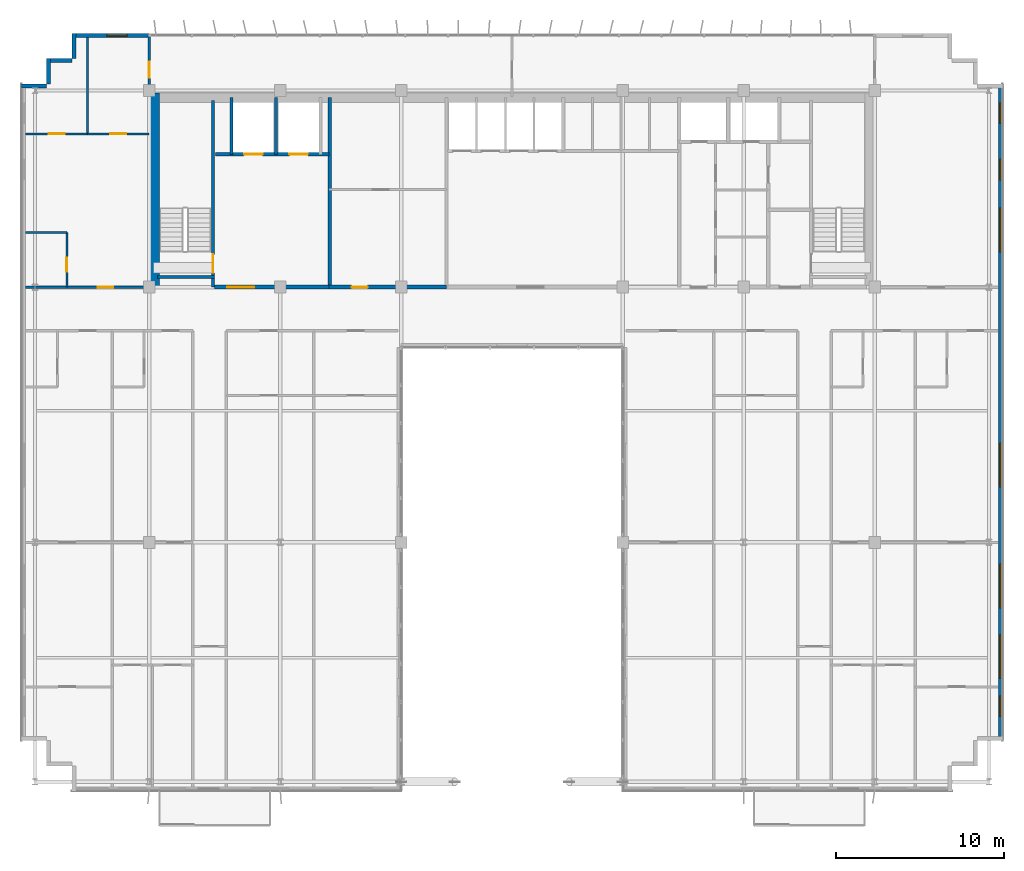
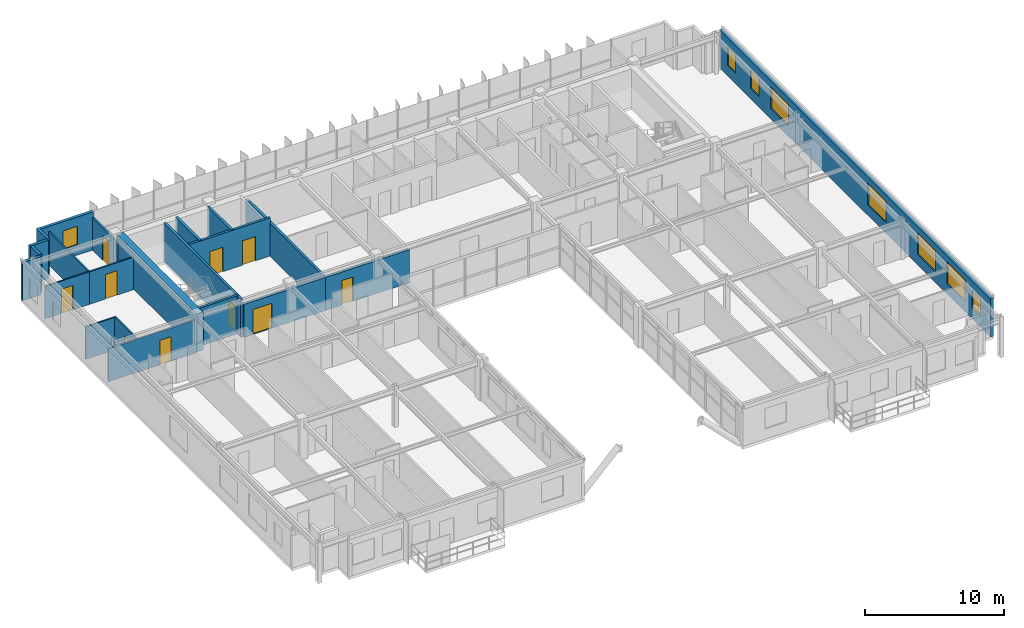
# One storey, part 31 of 35: 22 walls, 10 doors, 8 windows, 18 openings.
"""IFC4 building model written with IfcOpenShell, lengths in metres."""

from ifc_helpers import new_model, si_unit, direction, frame, frame_2d, origin, place, context, subcontext, project, spatial, rectangle, extrude, source, transform, mapped, material, layer, layer_set, type_object, element, fill, save


model = new_model("IFC4")

# Units and contexts
model_context = context("Model", 3, precision=1e-05, world=origin(), true_north=direction((0.0, 1.0)))
body_context = subcontext(model_context, "Body", "Model", "MODEL_VIEW")
ifc_project = project(units=[si_unit("LENGTHUNIT", "METRE"), si_unit("AREAUNIT", "SQUARE_METRE"), si_unit("VOLUMEUNIT", "CUBIC_METRE"), si_unit("PLANEANGLEUNIT", "RADIAN"), si_unit("MASSUNIT", "GRAM", prefix="KILO")], contexts=[model_context])

# Site, building, storey
site_placement = place(None, origin())
site = spatial("IfcSite", under=ifc_project, at=site_placement, CompositionType="ELEMENT")
building_placement = place(site_placement, origin())
building = spatial("IfcBuilding", under=site, at=building_placement, Name="Trelvane Seafront Commons", CompositionType="ELEMENT")
storey_placement = place(building_placement, frame((0.0, 0.0, 194.10009765625)))
storey = spatial("IfcBuildingStorey", under=building, at=storey_placement, Name="L50", CompositionType="ELEMENT", Elevation=194.10009765625)

# Wall, opening, window
ifc_material_1 = material(Name="Precast concrete C40/50", Category="concrete")
ifc_layer_1 = layer(ifc_material_1, 0.239990234375, Name="ARCH-WALL-EXT240")
ifc_layer_set_1 = layer_set([ifc_layer_1], Name="Precast concrete C40/50")
wall_type_1 = type_object("IfcWallType", Name="ARCH-WALL-EXT240", PredefinedType="SOLIDWALL", material=ifc_layer_set_1)
wall_1_placement = place(storey_placement, frame((11.10009765625, 48.3701171875, 0.0), z_axis=(0.0, 0.0, 1.0), x_axis=(1.0, 0.0, 0.0)))
wall_1 = element("IfcWall", 1, at=wall_1_placement, inside=storey, type_object=wall_type_1, Name="EW-L50-NW-0982", PredefinedType="SOLIDWALL", context=body_context, shape_type="SweptSolid", body=[
    extrude(rectangle(XDim=4.5, YDim=0.239990234375, at=frame_2d((2.25, 0.0))), origin(), (0.0, 0.0, 1.0), 3.35986328125),
])
opening_1_placement = place(wall_1_placement, frame((1.98291015625, 0.0, 0.89990234375)))
opening_1 = element("IfcOpeningElement", 2, at=opening_1_placement, cuts=wall_1, Name="Opening W05", PredefinedType="OPENING", context=body_context, shape_type="SweptSolid", body=[
    extrude(rectangle(XDim=1.199951171875, YDim=1.64990234375, at=frame_2d((0.60009765625, 0.824951171875))), frame((0.0, 0.1298828125, 0.0), z_axis=(0.0, -1.0, 0.0), x_axis=(1.0, 0.0, 0.0)), (0.0, 0.0, 1.0), 0.260009765625),
])
ifc_material_2 = material(Name="Low-E coastal double glazing", Category="glass")
window_type_1 = type_object("IfcWindowType", Name="ARCH-WIN-W05", PartitioningType="SINGLE_PANEL", PredefinedType="WINDOW", material=ifc_material_2)
shared_shape_1 = source(origin(), body_context, "Body", "SweptSolid", [
    extrude(rectangle(XDim=1.199951171875, YDim=1.64990234375, at=frame_2d((0.60009765625, 0.824951171875))), frame((0.0, 0.030029296875, 0.0), z_axis=(0.0, -1.0, 0.0), x_axis=(1.0, 0.0, 0.0)), (0.0, 0.0, 1.0), 0.06005859375),
])
window_1_placement = place(opening_1_placement, origin())
window_1 = element("IfcWindow", 3, at=window_1_placement, inside=storey, type_object=window_type_1, Name="WIN-L50-01167", OverallHeight=1.64990234375, OverallWidth=1.199951171875, PartitioningType="SINGLE_PANEL", PredefinedType="WINDOW", context=body_context, shape_type="MappedRepresentation", body=[
    mapped(shared_shape_1, transform((0.0, 0.0, 0.0), x_axis=(1.0, 0.0, 0.0), y_axis=(0.0, 1.0, 0.0), z_axis=(0.0, 0.0, 1.0), scale=1.0)),
])
fill(opening_1, window_1)

# Walls
for number, where, z_axis, x_axis, name in (
    (4, (8.0, 45.3798828125, 0.0), (0.0, 0.0, 1.0), (1.0, 0.0, 0.0), "EW-L50-00988"),
    (5, (9.6201171875, 45.5, 0.0), (0.0, 0.0, 1.0), (0.0, 1.0, 0.0), "EW-L50-00989"),
    (6, (9.5, 46.8798828125, 0.0), (0.0, 0.0, 1.0), (1.0, 0.0, 0.0), "EW-L50-00990"),
    (7, (11.1201171875, 47.0, 0.0), (0.0, 0.0, 1.0), (0.0, 1.0, 0.0), "EW-L50-00991"),
):
    element("IfcWall", number, at=place(storey_placement, frame(where, z_axis=z_axis, x_axis=x_axis)), inside=storey, type_object=wall_type_1, Name=name, PredefinedType="SOLIDWALL", context=body_context, shape_type="SweptSolid", body=[
        extrude(rectangle(XDim=1.5, YDim=0.239990234375, at=frame_2d((0.75, 0.0))), origin(), (0.0, 0.0, 1.0), 3.35986328125),
    ])

# Wall, openings, windows
wall_2_placement = place(storey_placement, frame((66.280029296875, 45.5, 0.0), z_axis=(0.0, 0.0, 1.0), x_axis=(0.0, -1.0, 0.0)))
wall_2 = element("IfcWall", 8, at=wall_2_placement, inside=storey, type_object=wall_type_1, Name="EW-L50-00996", PredefinedType="SOLIDWALL", context=body_context, shape_type="SweptSolid", body=[
    extrude(rectangle(XDim=39.10009765625, YDim=0.239990234375, at=frame_2d((19.550048828125, 0.0))), origin(), (0.0, 0.0, 1.0), 3.35986328125),
])
opening_2_placement = place(wall_2_placement, frame((36.449951171875, 0.0, 0.919921875)))
opening_2 = element("IfcOpeningElement", 9, at=opening_2_placement, cuts=wall_2, Name="Opening W05", PredefinedType="OPENING", context=body_context, shape_type="SweptSolid", body=[
    extrude(rectangle(XDim=1.199951171875, YDim=1.64990234375, at=frame_2d((0.60009765625, 0.824951171875))), frame((0.0, 0.1298828125, 0.0), z_axis=(0.0, -1.0, 0.0), x_axis=(1.0, 0.0, 0.0)), (0.0, 0.0, 1.0), 0.260009765625),
])
opening_3_placement = place(wall_2_placement, frame((32.800048828125, 0.0, 0.919921875)))
opening_3 = element("IfcOpeningElement", 10, at=opening_3_placement, cuts=wall_2, Name="Opening W04", PredefinedType="OPENING", context=body_context, shape_type="SweptSolid", body=[
    extrude(rectangle(XDim=2.60009765625, YDim=1.89990234375, at=frame_2d((1.300048828125, 0.949951171875))), frame((0.0, 0.1298828125, 0.0), z_axis=(0.0, -1.0, 0.0), x_axis=(1.0, 0.0, 0.0)), (0.0, 0.0, 1.0), 0.260009765625),
])
opening_4_placement = place(wall_2_placement, frame((28.60009765625, 0.0, 0.919921875)))
opening_4 = element("IfcOpeningElement", 11, at=opening_4_placement, cuts=wall_2, Name="Opening W04", PredefinedType="OPENING", context=body_context, shape_type="SweptSolid", body=[
    extrude(rectangle(XDim=2.60009765625, YDim=1.89990234375, at=frame_2d((1.300048828125, 0.949951171875))), frame((0.0, 0.1298828125, 0.0), z_axis=(0.0, -1.0, 0.0), x_axis=(1.0, 0.0, 0.0)), (0.0, 0.0, 1.0), 0.260009765625),
])
opening_5_placement = place(wall_2_placement, frame((21.39990234375, 0.0, 0.919921875)))
opening_5 = element("IfcOpeningElement", 12, at=opening_5_placement, cuts=wall_2, Name="Opening W04", PredefinedType="OPENING", context=body_context, shape_type="SweptSolid", body=[
    extrude(rectangle(XDim=2.60009765625, YDim=1.89990234375, at=frame_2d((1.300048828125, 0.949951171875))), frame((0.0, 0.1298828125, 0.0), z_axis=(0.0, -1.0, 0.0), x_axis=(1.0, 0.0, 0.0)), (0.0, 0.0, 1.0), 0.260009765625),
])
opening_6_placement = place(wall_2_placement, frame((7.39990234375, 0.0, 0.919921875)))
opening_6 = element("IfcOpeningElement", 13, at=opening_6_placement, cuts=wall_2, Name="Opening W04", PredefinedType="OPENING", context=body_context, shape_type="SweptSolid", body=[
    extrude(rectangle(XDim=2.60009765625, YDim=1.89990234375, at=frame_2d((1.300048828125, 0.949951171875))), frame((0.0, 0.1298828125, 0.0), z_axis=(0.0, -1.0, 0.0), x_axis=(1.0, 0.0, 0.0)), (0.0, 0.0, 1.0), 0.260009765625),
])
opening_7_placement = place(wall_2_placement, frame((4.5, 0.0, 0.919921875)))
opening_7 = element("IfcOpeningElement", 14, at=opening_7_placement, cuts=wall_2, Name="Opening W05", PredefinedType="OPENING", context=body_context, shape_type="SweptSolid", body=[
    extrude(rectangle(XDim=1.199951171875, YDim=1.64990234375, at=frame_2d((0.60009765625, 0.824951171875))), frame((0.0, 0.1298828125, 0.0), z_axis=(0.0, -1.0, 0.0), x_axis=(1.0, 0.0, 0.0)), (0.0, 0.0, 1.0), 0.260009765625),
])
opening_8_placement = place(wall_2_placement, frame((1.14990234375, 0.0, 0.919921875)))
opening_8 = element("IfcOpeningElement", 15, at=opening_8_placement, cuts=wall_2, Name="Opening W05", PredefinedType="OPENING", context=body_context, shape_type="SweptSolid", body=[
    extrude(rectangle(XDim=1.199951171875, YDim=1.64990234375, at=frame_2d((0.60009765625, 0.824951171875))), frame((0.0, 0.1298828125, 0.0), z_axis=(0.0, -1.0, 0.0), x_axis=(1.0, 0.0, 0.0)), (0.0, 0.0, 1.0), 0.260009765625),
])
window_type_2 = type_object("IfcWindowType", Name="ARCH-WIN-W04", PartitioningType="SINGLE_PANEL", PredefinedType="WINDOW", material=ifc_material_2)
shared_shape_2 = source(origin(), body_context, "Body", "SweptSolid", [
    extrude(rectangle(XDim=2.60009765625, YDim=1.89990234375, at=frame_2d((1.300048828125, 0.949951171875))), frame((0.0, 0.030029296875, 0.0), z_axis=(0.0, -1.0, 0.0), x_axis=(1.0, 0.0, 0.0)), (0.0, 0.0, 1.0), 0.06005859375),
])
window_2_placement = place(opening_3_placement, origin())
window_2 = element("IfcWindow", 16, at=window_2_placement, inside=storey, type_object=window_type_2, Name="WIN-L50-EW-01176", OverallHeight=1.89990234375, OverallWidth=2.60009765625, PartitioningType="SINGLE_PANEL", PredefinedType="WINDOW", context=body_context, shape_type="MappedRepresentation", body=[
    mapped(shared_shape_2, transform((0.0, 0.0, 0.0), x_axis=(1.0, 0.0, 0.0), y_axis=(0.0, 1.0, 0.0), z_axis=(0.0, 0.0, 1.0), scale=1.0)),
])
fill(opening_3, window_2)
window_3_placement = place(opening_4_placement, origin())
window_3 = element("IfcWindow", 17, at=window_3_placement, inside=storey, type_object=window_type_2, Name="WIN-L50-EW-01177", OverallHeight=1.89990234375, OverallWidth=2.60009765625, PartitioningType="SINGLE_PANEL", PredefinedType="WINDOW", context=body_context, shape_type="MappedRepresentation", body=[
    mapped(shared_shape_2, transform((0.0, 0.0, 0.0), x_axis=(1.0, 0.0, 0.0), y_axis=(0.0, 1.0, 0.0), z_axis=(0.0, 0.0, 1.0), scale=1.0)),
])
fill(opening_4, window_3)
window_4_placement = place(opening_5_placement, origin())
window_4 = element("IfcWindow", 18, at=window_4_placement, inside=storey, type_object=window_type_2, Name="WIN-L50-EW-01178", OverallHeight=1.89990234375, OverallWidth=2.60009765625, PartitioningType="SINGLE_PANEL", PredefinedType="WINDOW", context=body_context, shape_type="MappedRepresentation", body=[
    mapped(shared_shape_2, transform((0.0, 0.0, 0.0), x_axis=(1.0, 0.0, 0.0), y_axis=(0.0, 1.0, 0.0), z_axis=(0.0, 0.0, 1.0), scale=1.0)),
])
fill(opening_5, window_4)
window_5_placement = place(opening_6_placement, origin())
window_5 = element("IfcWindow", 19, at=window_5_placement, inside=storey, type_object=window_type_2, Name="WIN-L50-EW-01179", OverallHeight=1.89990234375, OverallWidth=2.60009765625, PartitioningType="SINGLE_PANEL", PredefinedType="WINDOW", context=body_context, shape_type="MappedRepresentation", body=[
    mapped(shared_shape_2, transform((0.0, 0.0, 0.0), x_axis=(1.0, 0.0, 0.0), y_axis=(0.0, 1.0, 0.0), z_axis=(0.0, 0.0, 1.0), scale=1.0)),
])
fill(opening_6, window_5)
window_6_placement = place(opening_2_placement, origin())
window_6 = element("IfcWindow", 20, at=window_6_placement, inside=storey, type_object=window_type_1, Name="WIN-L50-EW-01175", OverallHeight=1.64990234375, OverallWidth=1.199951171875, PartitioningType="SINGLE_PANEL", PredefinedType="WINDOW", context=body_context, shape_type="MappedRepresentation", body=[
    mapped(shared_shape_1, transform((0.0, 0.0, 0.0), x_axis=(1.0, 0.0, 0.0), y_axis=(0.0, 1.0, 0.0), z_axis=(0.0, 0.0, 1.0), scale=1.0)),
])
fill(opening_2, window_6)
window_7_placement = place(opening_7_placement, origin())
window_7 = element("IfcWindow", 21, at=window_7_placement, inside=storey, type_object=window_type_1, Name="WIN-L50-EW-01180", OverallHeight=1.64990234375, OverallWidth=1.199951171875, PartitioningType="SINGLE_PANEL", PredefinedType="WINDOW", context=body_context, shape_type="MappedRepresentation", body=[
    mapped(shared_shape_1, transform((0.0, 0.0, 0.0), x_axis=(1.0, 0.0, 0.0), y_axis=(0.0, 1.0, 0.0), z_axis=(0.0, 0.0, 1.0), scale=1.0)),
])
fill(opening_7, window_7)
window_8_placement = place(opening_8_placement, origin())
window_8 = element("IfcWindow", 22, at=window_8_placement, inside=storey, type_object=window_type_1, Name="WIN-L50-EW-01181", OverallHeight=1.64990234375, OverallWidth=1.199951171875, PartitioningType="SINGLE_PANEL", PredefinedType="WINDOW", context=body_context, shape_type="MappedRepresentation", body=[
    mapped(shared_shape_1, transform((0.0, 0.0, 0.0), x_axis=(1.0, 0.0, 0.0), y_axis=(0.0, 1.0, 0.0), z_axis=(0.0, 0.0, 1.0), scale=1.0)),
])
fill(opening_8, window_8)

# Wall, opening, door
ifc_material_3 = material(Name="Concrete C40/50", Category="concrete")
ifc_layer_2 = layer(ifc_material_3, 0.25, Name="ARCH-WALL-FIRE250")
ifc_layer_set_2 = layer_set([ifc_layer_2], Name="Concrete C40/50")
wall_type_2 = type_object("IfcWallType", Name="ARCH-WALL-FIRE250", PredefinedType="PARTITIONING", material=ifc_layer_set_2)
wall_3_placement = place(storey_placement, frame((19.5, 33.39990234375, 0.0), z_axis=(0.0, 0.0, 1.0), x_axis=(1.0, 0.0, 0.0)))
wall_3 = element("IfcWall", 23, at=wall_3_placement, inside=storey, type_object=wall_type_2, Name="W-L50-CS-FFL-013", PredefinedType="PARTITIONING", context=body_context, shape_type="SweptSolid", body=[
    extrude(rectangle(XDim=6.800048828125, YDim=0.25, at=frame_2d((3.39990234375, 0.0))), origin(), (0.0, 0.0, 1.0), 2.909912109375),
])
opening_9_placement = place(wall_3_placement, frame((0.75, 0.0, 0.0)))
opening_9 = element("IfcOpeningElement", 24, at=opening_9_placement, cuts=wall_3, Name="Opening FD-L50-05", PredefinedType="OPENING", context=body_context, shape_type="SweptSolid", body=[
    extrude(rectangle(XDim=1.60009765625, YDim=2.199951171875, at=frame_2d((0.800048828125, 1.10009765625))), frame((0.0, 0.135009765625, 0.0), z_axis=(0.0, -1.0, 0.0), x_axis=(1.0, 0.0, 0.0)), (0.0, 0.0, 1.0), 0.27001953125),
])
ifc_material_4 = material(Name="Powder-coated aluminium frame", Category="aluminium")
door_type_1 = type_object("IfcDoorType", Name="ARCH-DR-FD60-1600", OperationType="DOUBLE_DOOR_SINGLE_SWING", PredefinedType="DOOR", material=ifc_material_4)
shared_shape_3 = source(origin(), body_context, "Body", "SweptSolid", [
    extrude(rectangle(XDim=1.60009765625, YDim=2.199951171875, at=frame_2d((0.800048828125, 1.10009765625))), frame((0.0, 0.02490234375, 0.0), z_axis=(0.0, -1.0, 0.0), x_axis=(1.0, 0.0, 0.0)), (0.0, 0.0, 1.0), 0.050048828125),
])
door_1_placement = place(opening_9_placement, origin())
door_1 = element("IfcDoor", 25, at=door_1_placement, inside=storey, type_object=door_type_1, Name="L50 Firefighting Lift Lobby Double Fire Door", OperationType="DOUBLE_DOOR_SINGLE_SWING", OverallHeight=2.199951171875, OverallWidth=1.60009765625, PredefinedType="DOOR", context=body_context, shape_type="MappedRepresentation", body=[
    mapped(shared_shape_3, transform((0.0, 0.0, 0.0), x_axis=(1.0, 0.0, 0.0), y_axis=(0.0, 1.0, 0.0), z_axis=(0.0, 0.0, 1.0), scale=1.0)),
])
fill(opening_9, door_1)

wall_4_placement = place(storey_placement, frame((26.300048828125, 33.39990234375, 0.0), z_axis=(0.0, 0.0, 1.0), x_axis=(1.0, 0.0, 0.0)))
wall_4 = element("IfcWall", 26, at=wall_4_placement, inside=storey, type_object=wall_type_2, Name="W-L50-CS-FPL-026", PredefinedType="PARTITIONING", context=body_context, shape_type="SweptSolid", body=[
    extrude(rectangle(XDim=7.0, YDim=0.25, at=frame_2d((3.5, 0.0))), origin(), (0.0, 0.0, 1.0), 2.909912109375),
])
opening_10_placement = place(wall_4_placement, frame((1.35009765625, 0.0, 0.0)))
opening_10 = element("IfcOpeningElement", 27, at=opening_10_placement, cuts=wall_4, Name="Opening D-L50-11", PredefinedType="OPENING", context=body_context, shape_type="SweptSolid", body=[
    extrude(rectangle(XDim=0.949951171875, YDim=2.14990234375, at=frame_2d((0.47509765625, 1.074951171875))), frame((0.0, 0.135009765625, 0.0), z_axis=(0.0, -1.0, 0.0), x_axis=(1.0, 0.0, 0.0)), (0.0, 0.0, 1.0), 0.27001953125),
])
ifc_material_5 = material(Name="Acoustic timber door leaf", Category="wood")
door_type_2 = type_object("IfcDoorType", Name="ARCH-DR-INT950", OperationType="NOTDEFINED", PredefinedType="DOOR", material=ifc_material_5)
shared_shape_4 = source(origin(), body_context, "Body", "SweptSolid", [
    extrude(rectangle(XDim=0.949951171875, YDim=2.14990234375, at=frame_2d((0.47509765625, 1.074951171875))), frame((0.0, 0.02490234375, 0.0), z_axis=(0.0, -1.0, 0.0), x_axis=(1.0, 0.0, 0.0)), (0.0, 0.0, 1.0), 0.050048828125),
])
door_2_placement = place(opening_10_placement, origin())
door_2 = element("IfcDoor", 28, at=door_2_placement, inside=storey, type_object=door_type_2, Name="L50 Floor Pantry Entrance Door", OperationType="SINGLE_SWING_LEFT", OverallHeight=2.14990234375, OverallWidth=0.949951171875, PredefinedType="DOOR", context=body_context, shape_type="MappedRepresentation", body=[
    mapped(shared_shape_4, transform((0.0, 0.0, 0.0), x_axis=(1.0, 0.0, 0.0), y_axis=(0.0, 1.0, 0.0), z_axis=(0.0, 0.0, 1.0), scale=1.0)),
])
fill(opening_10, door_2)

ifc_material_6 = material(Name="Gypsum Drywall Acoustic Partition")
ifc_layer_3 = layer(ifc_material_6, 0.1201171875, Name="ARCH-WALL-PART120")
ifc_layer_set_3 = layer_set([ifc_layer_3], Name="Gypsum Drywall Acoustic Partition")
wall_type_3 = type_object("IfcWallType", Name="ARCH-WALL-PART120", PredefinedType="PARTITIONING", material=ifc_layer_set_3)
wall_5_placement = place(storey_placement, frame((10.699951171875, 33.39990234375, 0.0), z_axis=(0.0, 0.0, 1.0), x_axis=(0.0, 1.0, 0.0)))
wall_5 = element("IfcWall", 29, at=wall_5_placement, inside=storey, type_object=wall_type_3, Name="W-L50-NW-BE-037", PredefinedType="PARTITIONING", context=body_context, shape_type="SweptSolid", body=[
    extrude(rectangle(XDim=3.25, YDim=0.1201171875, at=frame_2d((1.625, 0.0))), origin(), (0.0, 0.0, 1.0), 2.909912109375),
])
opening_11_placement = place(wall_5_placement, frame((0.89990234375, 0.0, 0.0)))
opening_11 = element("IfcOpeningElement", 30, at=opening_11_placement, cuts=wall_5, Name="Opening D-L50-21", PredefinedType="OPENING", context=body_context, shape_type="SweptSolid", body=[
    extrude(rectangle(XDim=0.85009765625, YDim=2.10009765625, at=frame_2d((0.425048828125, 1.050048828125))), frame((0.0, 0.070068359375, 0.0), z_axis=(0.0, -1.0, 0.0), x_axis=(1.0, 0.0, 0.0)), (0.0, 0.0, 1.0), 0.14013671875),
])
door_type_3 = type_object("IfcDoorType", Name="ARCH-DR-INT850", OperationType="NOTDEFINED", PredefinedType="DOOR", material=ifc_material_5)
shared_shape_5 = source(origin(), body_context, "Body", "SweptSolid", [
    extrude(rectangle(XDim=0.85009765625, YDim=2.10009765625, at=frame_2d((0.425048828125, 1.050048828125))), frame((0.0, 0.02490234375, 0.0), z_axis=(0.0, -1.0, 0.0), x_axis=(1.0, 0.0, 0.0)), (0.0, 0.0, 1.0), 0.050048828125),
])
door_3_placement = place(opening_11_placement, origin())
door_3 = element("IfcDoor", 31, at=door_3_placement, inside=storey, type_object=door_type_3, Name="L50 Door 21", OperationType="SINGLE_SWING_LEFT", OverallHeight=2.10009765625, OverallWidth=0.85009765625, PredefinedType="DOOR", context=body_context, shape_type="MappedRepresentation", body=[
    mapped(shared_shape_5, transform((0.0, 0.0, 0.0), x_axis=(1.0, 0.0, 0.0), y_axis=(0.0, 1.0, 0.0), z_axis=(0.0, 0.0, 1.0), scale=1.0)),
])
fill(opening_11, door_3)

# Wall
wall_6_placement = place(storey_placement, frame((8.25, 36.64990234375, 0.0), z_axis=(0.0, 0.0, 1.0), x_axis=(1.0, 0.0, 0.0)))
element("IfcWall", 32, at=wall_6_placement, inside=storey, type_object=wall_type_3, Name="W-L50-NW-BN-038", PredefinedType="PARTITIONING", context=body_context, shape_type="SweptSolid", body=[
    extrude(rectangle(XDim=2.449951171875, YDim=0.1201171875, at=frame_2d((1.22509765625, 0.0))), origin(), (0.0, 0.0, 1.0), 2.85986328125),
])

# Wall, opening, door
wall_7_placement = place(storey_placement, frame((8.25, 42.52001953125, 0.0), z_axis=(0.0, 0.0, 1.0), x_axis=(1.0, 0.0, 0.0)))
wall_7 = element("IfcWall", 33, at=wall_7_placement, inside=storey, type_object=wall_type_3, Name="W-L50-NW-KB1-039", PredefinedType="PARTITIONING", context=body_context, shape_type="SweptSolid", body=[
    extrude(rectangle(XDim=3.675048828125, YDim=0.1201171875, at=frame_2d((1.83740234375, 0.0))), origin(), (0.0, 0.0, 1.0), 2.85986328125),
])
opening_12_placement = place(wall_7_placement, frame((1.363037109375, 0.0, 0.0)))
opening_12 = element("IfcOpeningElement", 34, at=opening_12_placement, cuts=wall_7, Name="Opening D-L50-22", PredefinedType="OPENING", context=body_context, shape_type="SweptSolid", body=[
    extrude(rectangle(XDim=0.949951171875, YDim=2.14990234375, at=frame_2d((0.47509765625, 1.074951171875))), frame((0.0, 0.070068359375, 0.0), z_axis=(0.0, -1.0, 0.0), x_axis=(1.0, 0.0, 0.0)), (0.0, 0.0, 1.0), 0.14013671875),
])
door_4_placement = place(opening_12_placement, origin())
door_4 = element("IfcDoor", 35, at=door_4_placement, inside=storey, type_object=door_type_2, Name="L50 Door 22", OperationType="SINGLE_SWING_RIGHT", OverallHeight=2.14990234375, OverallWidth=0.949951171875, PredefinedType="DOOR", context=body_context, shape_type="MappedRepresentation", body=[
    mapped(shared_shape_4, transform((0.0, 0.0, 0.0), x_axis=(1.0, 0.0, 0.0), y_axis=(0.0, 1.0, 0.0), z_axis=(0.0, 0.0, 1.0), scale=1.0)),
])
fill(opening_12, door_4)

wall_8_placement = place(storey_placement, frame((11.925048828125, 42.52001953125, 0.0), z_axis=(0.0, 0.0, 1.0), x_axis=(1.0, 0.0, 0.0)))
wall_8 = element("IfcWall", 36, at=wall_8_placement, inside=storey, type_object=wall_type_3, Name="W-L50-NW-KB2-040", PredefinedType="PARTITIONING", context=body_context, shape_type="SweptSolid", body=[
    extrude(rectangle(XDim=3.675048828125, YDim=0.1201171875, at=frame_2d((1.83740234375, 0.0))), origin(), (0.0, 0.0, 1.0), 2.85986328125),
])
opening_13_placement = place(wall_8_placement, frame((1.362060546875, 0.0, 0.0)))
opening_13 = element("IfcOpeningElement", 37, at=opening_13_placement, cuts=wall_8, Name="Opening D-L50-23", PredefinedType="OPENING", context=body_context, shape_type="SweptSolid", body=[
    extrude(rectangle(XDim=0.949951171875, YDim=2.14990234375, at=frame_2d((0.47509765625, 1.074951171875))), frame((0.0, 0.070068359375, 0.0), z_axis=(0.0, -1.0, 0.0), x_axis=(1.0, 0.0, 0.0)), (0.0, 0.0, 1.0), 0.14013671875),
])
door_5_placement = place(opening_13_placement, origin())
door_5 = element("IfcDoor", 38, at=door_5_placement, inside=storey, type_object=door_type_2, Name="L50 Door 23", OperationType="SINGLE_SWING_LEFT", OverallHeight=2.14990234375, OverallWidth=0.949951171875, PredefinedType="DOOR", context=body_context, shape_type="MappedRepresentation", body=[
    mapped(shared_shape_4, transform((0.0, 0.0, 0.0), x_axis=(1.0, 0.0, 0.0), y_axis=(0.0, 1.0, 0.0), z_axis=(0.0, 0.0, 1.0), scale=1.0)),
])
fill(opening_13, door_5)

# Wall
wall_9_placement = place(storey_placement, frame((11.925048828125, 42.52001953125, 0.0), z_axis=(0.0, 0.0, 1.0), x_axis=(0.0, 1.0, 0.0)))
element("IfcWall", 39, at=wall_9_placement, inside=storey, type_object=wall_type_3, Name="W-L50-NW-KBDV-041", PredefinedType="PARTITIONING", context=body_context, shape_type="SweptSolid", body=[
    extrude(rectangle(XDim=5.739990234375, YDim=0.1201171875, at=frame_2d((2.8701171875, 0.0))), origin(), (0.0, 0.0, 1.0), 2.909912109375),
])

# Wall, opening, door
ifc_layer_4 = layer(ifc_material_6, 0.14990234375, Name="ARCH-WALL-PART150")
ifc_layer_set_4 = layer_set([ifc_layer_4], Name="Gypsum Drywall Acoustic Partition")
wall_type_4 = type_object("IfcWallType", Name="ARCH-WALL-PART150", PredefinedType="PARTITIONING", material=ifc_layer_set_4)
wall_10_placement = place(storey_placement, frame((8.25, 33.39990234375, 0.0), z_axis=(0.0, 0.0, 1.0), x_axis=(1.0, 0.0, 0.0)))
wall_10 = element("IfcWall", 40, at=wall_10_placement, inside=storey, type_object=wall_type_4, Name="W-L50-NW-ENT-042", PredefinedType="PARTITIONING", context=body_context, shape_type="SweptSolid", body=[
    extrude(rectangle(XDim=7.35009765625, YDim=0.14990234375, at=frame_2d((3.675048828125, 0.0))), origin(), (0.0, 0.0, 1.0), 2.909912109375),
])
opening_14_placement = place(wall_10_placement, frame((4.27490234375, 0.0, 0.0)))
opening_14 = element("IfcOpeningElement", 41, at=opening_14_placement, cuts=wall_10, Name="Opening FD-L50-24", PredefinedType="OPENING", context=body_context, shape_type="SweptSolid", body=[
    extrude(rectangle(XDim=0.949951171875, YDim=2.14990234375, at=frame_2d((0.47509765625, 1.074951171875))), frame((0.0, 0.0849609375, 0.0), z_axis=(0.0, -1.0, 0.0), x_axis=(1.0, 0.0, 0.0)), (0.0, 0.0, 1.0), 0.169921875),
])
door_type_4 = type_object("IfcDoorType", Name="ARCH-DR-FD60-950", OperationType="NOTDEFINED", PredefinedType="DOOR", material=ifc_material_4)
door_6_placement = place(opening_14_placement, origin())
door_6 = element("IfcDoor", 42, at=door_6_placement, inside=storey, type_object=door_type_4, Name="L50 NW Flat Entrance Door", OperationType="SINGLE_SWING_RIGHT", OverallHeight=2.14990234375, OverallWidth=0.949951171875, PredefinedType="DOOR", context=body_context, shape_type="MappedRepresentation", body=[
    mapped(shared_shape_4, transform((0.0, 0.0, 0.0), x_axis=(1.0, 0.0, 0.0), y_axis=(0.0, 1.0, 0.0), z_axis=(0.0, 0.0, 1.0), scale=1.0)),
])
fill(opening_14, door_6)

wall_11_placement = place(storey_placement, frame((15.60009765625, 44.75, 0.0), z_axis=(0.0, 0.0, 1.0), x_axis=(0.0, 1.0, 0.0)))
wall_11 = element("IfcWall", 43, at=wall_11_placement, inside=storey, type_object=wall_type_4, Name="W-L50-N-LINK-W-045", PredefinedType="PARTITIONING", context=body_context, shape_type="SweptSolid", body=[
    extrude(rectangle(XDim=3.610107421875, YDim=0.14990234375, at=frame_2d((1.80517578125, 0.0))), origin(), (0.0, 0.0, 1.0), 2.85986328125),
])
opening_15_placement = place(wall_11_placement, frame((1.10009765625, 0.0, 0.0)))
opening_15 = element("IfcOpeningElement", 44, at=opening_15_placement, cuts=wall_11, Name="Opening FD-L50-27", PredefinedType="OPENING", context=body_context, shape_type="SweptSolid", body=[
    extrude(rectangle(XDim=0.949951171875, YDim=2.14990234375, at=frame_2d((0.47509765625, 1.074951171875))), frame((0.0, 0.0849609375, 0.0), z_axis=(0.0, -1.0, 0.0), x_axis=(1.0, 0.0, 0.0)), (0.0, 0.0, 1.0), 0.169921875),
])
door_7_placement = place(opening_15_placement, origin())
door_7 = element("IfcDoor", 45, at=door_7_placement, inside=storey, type_object=door_type_4, Name="L50 Door 27", OperationType="SINGLE_SWING_LEFT", OverallHeight=2.14990234375, OverallWidth=0.949951171875, PredefinedType="DOOR", context=body_context, shape_type="MappedRepresentation", body=[
    mapped(shared_shape_4, transform((0.0, 0.0, 0.0), x_axis=(1.0, 0.0, 0.0), y_axis=(0.0, 1.0, 0.0), z_axis=(0.0, 0.0, 1.0), scale=1.0)),
])
fill(opening_15, door_7)

# Wall, openings, doors
ifc_layer_5 = layer(ifc_material_3, 0.199951171875, Name="ARCH-WALL-SHAFT200")
ifc_layer_set_5 = layer_set([ifc_layer_5], Name="Concrete C40/50")
wall_type_5 = type_object("IfcWallType", Name="ARCH-WALL-SHAFT200", PredefinedType="SOLIDWALL", material=ifc_layer_set_5)
wall_12_placement = place(storey_placement, frame((19.550048828125, 41.300048828125, 0.0), z_axis=(0.0, 0.0, 1.0), x_axis=(1.0, 0.0, 0.0)))
wall_12 = element("IfcWall", 46, at=wall_12_placement, inside=storey, type_object=wall_type_5, Name="W-L50-FFL-FRONT-008", PredefinedType="SOLIDWALL", context=body_context, shape_type="SweptSolid", body=[
    extrude(rectangle(XDim=6.75, YDim=0.199951171875, at=frame_2d((3.375, 0.0))), origin(), (0.0, 0.0, 1.0), 3.35986328125),
])
opening_16_placement = place(wall_12_placement, frame((1.699951171875, 0.0, 0.0)))
opening_16 = element("IfcOpeningElement", 47, at=opening_16_placement, cuts=wall_12, Name="Opening LD-FF1-L50", PredefinedType="OPENING", context=body_context, shape_type="SweptSolid", body=[
    extrude(rectangle(XDim=1.10009765625, YDim=2.14990234375, at=frame_2d((0.550048828125, 1.074951171875))), frame((0.0, 0.10986328125, 0.0), z_axis=(0.0, -1.0, 0.0), x_axis=(1.0, 0.0, 0.0)), (0.0, 0.0, 1.0), 0.219970703125),
])
opening_17_placement = place(wall_12_placement, frame((4.39990234375, 0.0, 0.0)))
opening_17 = element("IfcOpeningElement", 48, at=opening_17_placement, cuts=wall_12, Name="Opening LD-FF2-L50", PredefinedType="OPENING", context=body_context, shape_type="SweptSolid", body=[
    extrude(rectangle(XDim=1.10009765625, YDim=2.14990234375, at=frame_2d((0.550048828125, 1.074951171875))), frame((0.0, 0.10986328125, 0.0), z_axis=(0.0, -1.0, 0.0), x_axis=(1.0, 0.0, 0.0)), (0.0, 0.0, 1.0), 0.219970703125),
])
ifc_material_7 = material(Name="Stainless steel balustrade", Category="steel")
door_type_5 = type_object("IfcDoorType", Name="ARCH-DR-LD1100", OperationType="DOUBLE_DOOR_SLIDING", PredefinedType="DOOR", material=ifc_material_7)
shared_shape_6 = source(origin(), body_context, "Body", "SweptSolid", [
    extrude(rectangle(XDim=1.10009765625, YDim=2.14990234375, at=frame_2d((0.550048828125, 1.074951171875))), frame((0.0, 0.02490234375, 0.0), z_axis=(0.0, -1.0, 0.0), x_axis=(1.0, 0.0, 0.0)), (0.0, 0.0, 1.0), 0.050048828125),
])
door_8_placement = place(opening_16_placement, origin())
door_8 = element("IfcDoor", 49, at=door_8_placement, inside=storey, type_object=door_type_5, Name="L50 Firefighting Lift FFL-1 Landing Door", OperationType="DOUBLE_DOOR_SLIDING", OverallHeight=2.14990234375, OverallWidth=1.10009765625, PredefinedType="DOOR", context=body_context, shape_type="MappedRepresentation", body=[
    mapped(shared_shape_6, transform((0.0, 0.0, 0.0), x_axis=(1.0, 0.0, 0.0), y_axis=(0.0, 1.0, 0.0), z_axis=(0.0, 0.0, 1.0), scale=1.0)),
])
fill(opening_16, door_8)
door_9_placement = place(opening_17_placement, origin())
door_9 = element("IfcDoor", 50, at=door_9_placement, inside=storey, type_object=door_type_5, Name="L50 Firefighting Lift FFL-2 Landing Door", OperationType="DOUBLE_DOOR_SLIDING", OverallHeight=2.14990234375, OverallWidth=1.10009765625, PredefinedType="DOOR", context=body_context, shape_type="MappedRepresentation", body=[
    mapped(shared_shape_6, transform((0.0, 0.0, 0.0), x_axis=(1.0, 0.0, 0.0), y_axis=(0.0, 1.0, 0.0), z_axis=(0.0, 0.0, 1.0), scale=1.0)),
])
fill(opening_17, door_9)

# Walls
for number, where, z_axis, x_axis, name in (
    (51, (20.5, 41.300048828125, 0.0), (0.0, 0.0, 1.0), (0.0, 1.0, 0.0), "W-L50-FFL-SH-W-009"),
    (52, (23.14990234375, 41.300048828125, 0.0), (0.0, 0.0, 1.0), (0.0, 1.0, 0.0), "W-L50-FFL-DIV-010"),
):
    element("IfcWall", number, at=place(storey_placement, frame(where, z_axis=z_axis, x_axis=x_axis)), inside=storey, type_object=wall_type_5, Name=name, PredefinedType="SOLIDWALL", context=body_context, shape_type="SweptSolid", body=[
        extrude(rectangle(XDim=3.39990234375, YDim=0.199951171875, at=frame_2d((1.699951171875, 0.0))), origin(), (0.0, 0.0, 1.0), 3.35986328125),
    ])
wall_13_placement = place(storey_placement, frame((26.35009765625, 33.39990234375, 0.0), z_axis=(0.0, 0.0, 1.0), x_axis=(0.0, 1.0, 0.0)))
element("IfcWall", 53, at=wall_13_placement, inside=storey, type_object=wall_type_5, Name="W-L50-FFL-EAST-012", PredefinedType="SOLIDWALL", context=body_context, shape_type="SweptSolid", body=[
    extrude(rectangle(XDim=11.300048828125, YDim=0.199951171875, at=frame_2d((5.64990234375, 0.0))), origin(), (0.0, 0.0, 1.0), 2.909912109375),
])
ifc_material_8 = material(Name="Concrete C50/60", Category="concrete")
ifc_layer_6 = layer(ifc_material_8, 0.550048828125, Name="STR-WALL-CORE550")
ifc_layer_set_6 = layer_set([ifc_layer_6], Name="Concrete C50/60")
wall_type_6 = type_object("IfcWallType", Name="STR-WALL-CORE550", PredefinedType="SHEAR", material=ifc_layer_set_6)
wall_14_placement = place(storey_placement, frame((15.925048828125, 33.39990234375, 0.0), z_axis=(0.0, 0.0, 1.0), x_axis=(0.0, 1.0, 0.0)))
element("IfcWall", 54, at=wall_14_placement, inside=storey, type_object=wall_type_6, Name="W-L50-CW-END-002", PredefinedType="SHEAR", context=body_context, shape_type="SweptSolid", body=[
    extrude(rectangle(XDim=11.550048828125, YDim=0.550048828125, at=frame_2d((5.77490234375, 0.0))), origin(), (0.0, 0.0, 1.0), 3.35986328125),
])
ifc_layer_7 = layer(ifc_material_8, 0.199951171875, Name="STR-WALL-STAIR200")
ifc_layer_set_7 = layer_set([ifc_layer_7], Name="Concrete C50/60")
wall_type_7 = type_object("IfcWallType", Name="STR-WALL-STAIR200", PredefinedType="SHEAR", material=ifc_layer_set_7)
wall_15_placement = place(storey_placement, frame((16.10009765625, 34.0, 0.0), z_axis=(0.0, 0.0, 1.0), x_axis=(1.0, 0.0, 0.0)))
element("IfcWall", 55, at=wall_15_placement, inside=storey, type_object=wall_type_7, Name="W-L50-ST1-S-004", PredefinedType="SHEAR", context=body_context, shape_type="SweptSolid", body=[
    extrude(rectangle(XDim=3.39990234375, YDim=0.199951171875, at=frame_2d((1.699951171875, 0.0))), origin(), (0.0, 0.0, 1.0), 3.35986328125),
])

# Wall, opening, door
wall_16_placement = place(storey_placement, frame((19.39990234375, 33.39990234375, 0.0), z_axis=(0.0, 0.0, 1.0), x_axis=(0.0, 1.0, 0.0)))
wall_16 = element("IfcWall", 56, at=wall_16_placement, inside=storey, type_object=wall_type_7, Name="W-L50-ST1-E-005", PredefinedType="SHEAR", context=body_context, shape_type="SweptSolid", body=[
    extrude(rectangle(XDim=11.10009765625, YDim=0.199951171875, at=frame_2d((5.550048828125, 0.0))), origin(), (0.0, 0.0, 1.0), 3.35986328125),
])
opening_18_placement = place(wall_16_placement, frame((0.85009765625, 0.0, 0.0)))
opening_18 = element("IfcOpeningElement", 57, at=opening_18_placement, cuts=wall_16, Name="Opening ST-D1-L50", PredefinedType="OPENING", context=body_context, shape_type="SweptSolid", body=[
    extrude(rectangle(XDim=1.10009765625, YDim=2.14990234375, at=frame_2d((0.550048828125, 1.074951171875))), frame((0.0, 0.10986328125, 0.0), z_axis=(0.0, -1.0, 0.0), x_axis=(1.0, 0.0, 0.0)), (0.0, 0.0, 1.0), 0.219970703125),
])
door_type_6 = type_object("IfcDoorType", Name="ARCH-DR-FD90-1100", OperationType="NOTDEFINED", PredefinedType="DOOR", material=ifc_material_4)
door_10_placement = place(opening_18_placement, origin())
door_10 = element("IfcDoor", 58, at=door_10_placement, inside=storey, type_object=door_type_6, Name="L50 Stair ST-1 Lobby Fire Door", OperationType="SINGLE_SWING_LEFT", OverallHeight=2.14990234375, OverallWidth=1.10009765625, PredefinedType="DOOR", context=body_context, shape_type="MappedRepresentation", body=[
    mapped(shared_shape_6, transform((0.0, 0.0, 0.0), x_axis=(1.0, 0.0, 0.0), y_axis=(0.0, 1.0, 0.0), z_axis=(0.0, 0.0, 1.0), scale=1.0)),
])
fill(opening_18, door_10)

save(model, "model.ifc")
